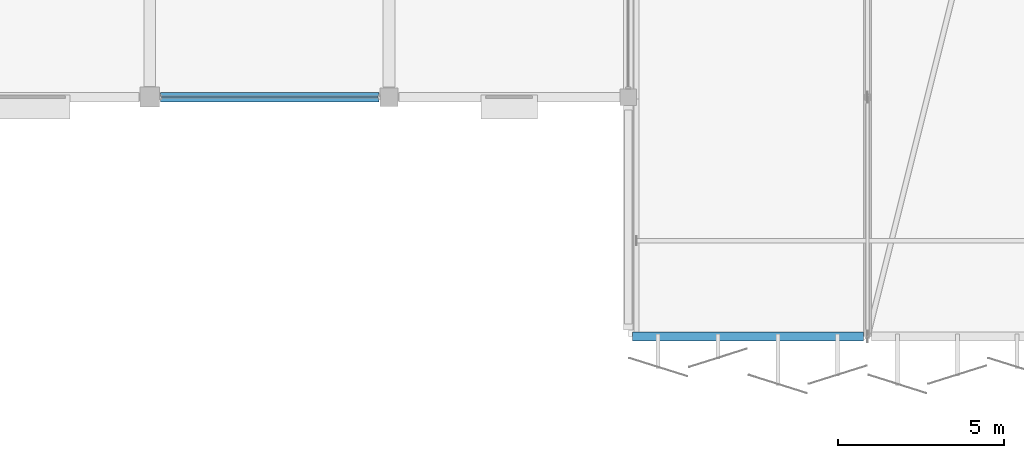
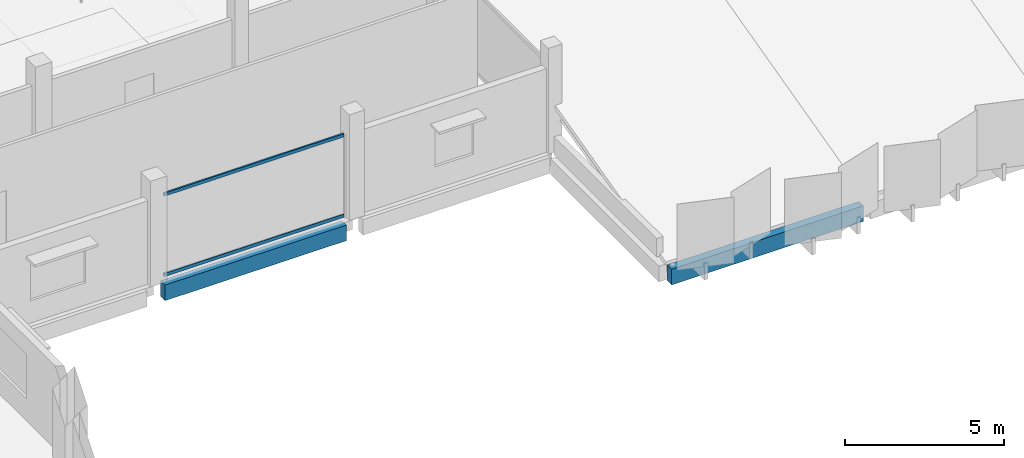
# One storey, part 14 of 108: 2 beams, 2 members, 1 element without a shape of its own.
"""IFC4 building model written with IfcOpenShell, lengths in metres."""

from ifc_helpers import new_model, si_unit, direction, frame, origin, origin_2d, place, context, subcontext, project, spatial, rectangle, hollow_rectangle, extrude, material, layer, layer_set, material_profile, profile_set, type_object, element, aggregate, save


model = new_model("IFC4")

# Units and contexts
model_context = context("Model", 3, precision=1e-05, world=origin(), true_north=direction((0.0, 1.0)))
body_context = subcontext(model_context, "Body", "Model", "MODEL_VIEW")
ifc_project = project(units=[si_unit("LENGTHUNIT", "METRE"), si_unit("AREAUNIT", "SQUARE_METRE"), si_unit("VOLUMEUNIT", "CUBIC_METRE"), si_unit("PLANEANGLEUNIT", "RADIAN"), si_unit("MASSUNIT", "GRAM", prefix="KILO")], contexts=[model_context])

# Site, building, storey
site_placement = place(None, origin())
site = spatial("IfcSite", under=ifc_project, at=site_placement, CompositionType="ELEMENT")
building_placement = place(site_placement, origin())
building = spatial("IfcBuilding", under=site, at=building_placement, Name="Kangsadwip Square Police Headquarters", CompositionType="ELEMENT")
storey_placement = place(building_placement, frame((0.0, 0.0, 9.449951171875)))
storey = spatial("IfcBuildingStorey", under=building, at=storey_placement, Name="L02", CompositionType="ELEMENT", Elevation=9.449951171875)

# Curtain wall, members
ifc_material_1 = material(Name="Thermally broken anodised aluminium AW-6063-T6", Category="aluminium")
ifc_layer = layer(ifc_material_1, 0.159912109375)
ifc_layer_set = layer_set([ifc_layer], Name="Thermally broken anodised aluminium AW-6063-T6")
curtain_wall_type = type_object("IfcCurtainWallType", Name="CourtScreen6635x3200", PredefinedType="USERDEFINED", material=ifc_layer_set)
curtain_wall_placement = place(storey_placement, origin())
curtain_wall = element("IfcCurtainWall", 1, at=curtain_wall_placement, inside=storey, type_object=curtain_wall_type, Name="Curtain Wall CW-L02-0291-0936", ObjectType="GLAZED_SCREEN", PredefinedType="USERDEFINED")
ifc_material_2 = material(Name="Thermally broken anodised aluminium AW-6063-T6", Category="aluminium")
ifc_material_profile_1 = material_profile(ifc_material_2, hollow_rectangle(XDim=0.06005859375, YDim=0.1201171875, WallThickness=0.00390625, at=origin_2d()), Name="CWT 120X60X4")
ifc_profile_set_1 = profile_set([ifc_material_profile_1], Name="Thermally broken anodised aluminium AW-6063-T6")
member_type = type_object("IfcMemberType", Name="CwTransom120x55", PredefinedType="USERDEFINED", material=ifc_profile_set_1)
member_1_placement = place(storey_placement, frame((29.155029296875, 93.60009765625, 0.06005859375), z_axis=(1.0, 0.0, 0.0), x_axis=(0.0, 1.0, 0.0)))
member_1 = element("IfcMember", 2, at=member_1_placement, type_object=member_type, Name="CW-32 transom 1.1", ObjectType="TRANSOM", PredefinedType="USERDEFINED", context=body_context, shape_type="SweptSolid", body=[
    extrude(hollow_rectangle(XDim=0.06005859375, YDim=0.1201171875, WallThickness=0.00390625, at=origin_2d()), origin(), (0.0, 0.0, 1.0), 6.514892578125),
])
member_2_placement = place(storey_placement, frame((29.155029296875, 93.60009765625, 3.14013671875), z_axis=(1.0, 0.0, 0.0), x_axis=(0.0, 1.0, 0.0)))
member_2 = element("IfcMember", 3, at=member_2_placement, type_object=member_type, Name="CW-32 transom 1.2", ObjectType="TRANSOM", PredefinedType="USERDEFINED", context=body_context, shape_type="SweptSolid", body=[
    extrude(hollow_rectangle(XDim=0.06005859375, YDim=0.1201171875, WallThickness=0.00390625, at=origin_2d()), origin(), (0.0, 0.0, 1.0), 6.514892578125),
])
aggregate(curtain_wall, [member_1, member_2])

# Beams
ifc_material_3 = material(Name="Concrete M40 (40 MPa)", Category="concrete")
ifc_material_profile_2 = material_profile(ifc_material_3, rectangle(XDim=0.280029296875, YDim=0.60009765625, at=origin_2d()), Name="RC SPN 600X280")
ifc_profile_set_2 = profile_set([ifc_material_profile_2], Name="Concrete M40 (40 MPa)")
beam_type = type_object("IfcBeamType", Name="RcSpandrel600x280", PredefinedType="SPANDREL", material=ifc_profile_set_2)
beam_1_placement = place(storey_placement, frame((43.324951171875, 86.39990234375, -0.5400390625), z_axis=(1.0, 0.0, 0.0), x_axis=(0.0, 1.0, 0.0)))
element("IfcBeam", 4, at=beam_1_placement, inside=storey, type_object=beam_type, Name="Beam BM-L02-X-06-12", PredefinedType="SPANDREL", context=body_context, shape_type="SweptSolid", body=[
    extrude(rectangle(XDim=0.280029296875, YDim=0.60009765625, at=origin_2d()), origin(), (0.0, 0.0, 1.0), 6.949951171875),
])
beam_2_placement = place(storey_placement, frame((29.125, 93.60009765625, -0.5400390625), z_axis=(1.0, 0.0, 0.0), x_axis=(0.0, 1.0, 0.0)))
element("IfcBeam", 5, at=beam_2_placement, inside=storey, type_object=beam_type, Name="Beam BM-L02-X-04-13", PredefinedType="SPANDREL", context=body_context, shape_type="SweptSolid", body=[
    extrude(rectangle(XDim=0.280029296875, YDim=0.60009765625, at=origin_2d()), origin(), (0.0, 0.0, 1.0), 6.574951171875),
])

save(model, "model.ifc")
